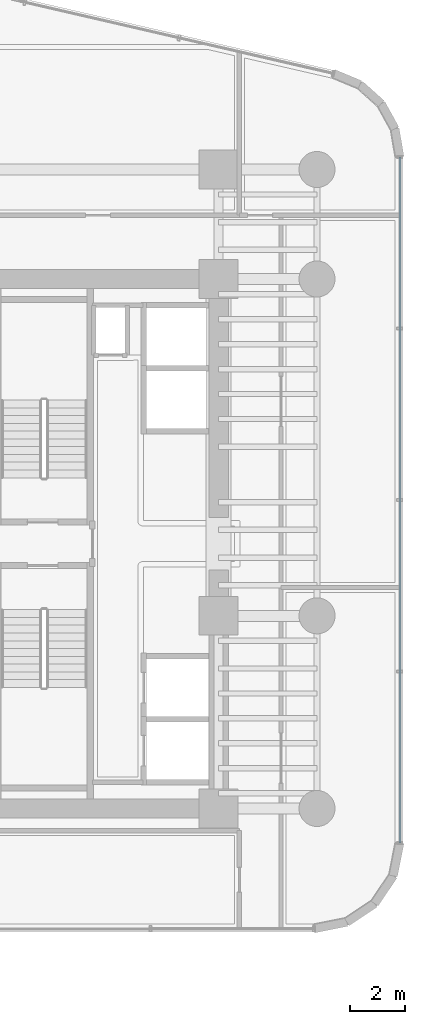
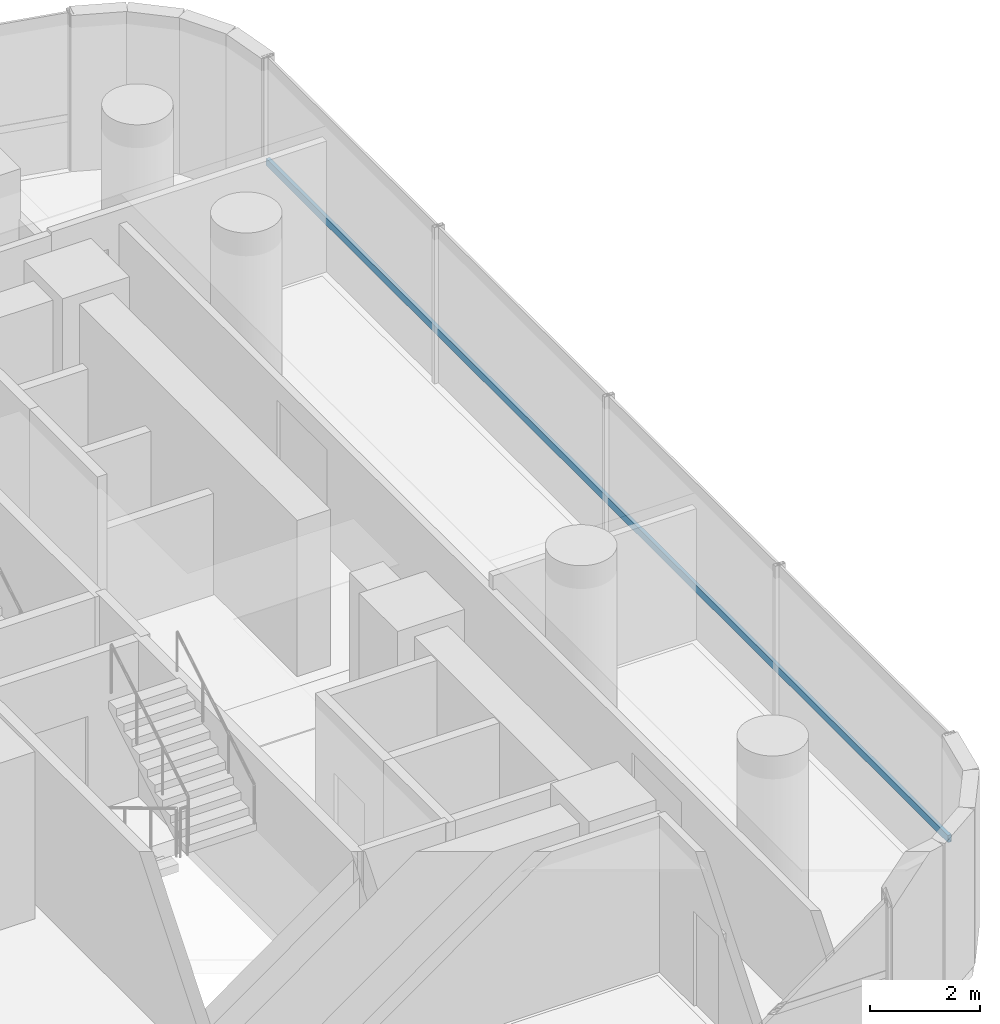
# One storey, part 27 of 40: 1 member, 1 element without a shape of its own.
"""IFC4 building model written with IfcOpenShell, lengths in metres."""

from ifc_helpers import new_model, si_unit, direction, frame, origin, origin_2d, place, context, subcontext, project, spatial, hollow_rectangle, extrude, source, transform, mapped, material, material_profile, profile_set, type_object, element, aggregate, save


model = new_model("IFC4")

# Units and contexts
model_context = context("Model", 3, precision=1e-05, world=origin(), true_north=direction((0.0, 1.0)))
body_context = subcontext(model_context, "Body", "Model", "MODEL_VIEW")
ifc_project = project(units=[si_unit("LENGTHUNIT", "METRE"), si_unit("AREAUNIT", "SQUARE_METRE"), si_unit("VOLUMEUNIT", "CUBIC_METRE"), si_unit("PLANEANGLEUNIT", "RADIAN"), si_unit("MASSUNIT", "GRAM", prefix="KILO")], contexts=[model_context])

# Site, building, storey
site_placement = place(None, origin())
site = spatial("IfcSite", under=ifc_project, at=site_placement, CompositionType="ELEMENT")
building_placement = place(site_placement, origin())
building = spatial("IfcBuilding", under=site, at=building_placement, Name="Valdorenza Pilgrim Sanctuary Tower", CompositionType="ELEMENT")
storey_placement = place(building_placement, frame((0.0, 0.0, 51.89990234375)))
storey = spatial("IfcBuildingStorey", under=building, at=storey_placement, Name="L12", CompositionType="ELEMENT", Elevation=51.89990234375)

# Curtain wall, member
ifc_material_1 = material(Name="Curtain-wall IGU glazing", Category="glass")
curtain_wall_type = type_object("IfcCurtainWallType", Name="CW-SYS-03", PredefinedType="NOTDEFINED", material=ifc_material_1)
curtain_wall_placement = place(storey_placement, origin())
curtain_wall = element("IfcCurtainWall", 1, at=curtain_wall_placement, inside=storey, type_object=curtain_wall_type, Name="L12 Curtain Wall CW-L12-1-21", PredefinedType="NOTDEFINED")
ifc_material_2 = material(Name="Anodised aluminium AW-6060", Category="aluminium")
ifc_material_profile = material_profile(ifc_material_2, hollow_rectangle(XDim=0.074951171875, YDim=0.159912109375, WallThickness=0.00390625, at=origin_2d()), Name="ALU-T 160x75x4")
ifc_profile_set = profile_set([ifc_material_profile], Name="Anodised aluminium AW-6060")
member_type = type_object("IfcMemberType", Name="CW-TRN-03", PredefinedType="USERDEFINED", material=ifc_profile_set)
shared_shape = source(origin(), body_context, "Body", "SweptSolid", [
    extrude(hollow_rectangle(XDim=0.074951171875, YDim=0.159912109375, WallThickness=0.00390625, at=origin_2d()), origin(), (0.0, 0.0, 1.0), 24.734375),
])
member_placement = place(storey_placement, frame((31.389892578125, 13.945068359375, 1.1201171875), z_axis=(0.0, -1.0, 0.0), x_axis=(1.0, 0.0, 0.0)))
member = element("IfcMember", 2, at=member_placement, type_object=member_type, Name="CW-L12-1-21 Transom 1", ObjectType="TRANSOM", PredefinedType="USERDEFINED", context=body_context, shape_type="MappedRepresentation", body=[
    mapped(shared_shape, transform((0.0, 0.0, 0.0), x_axis=(1.0, 0.0, 0.0), y_axis=(0.0, 1.0, 0.0), z_axis=(0.0, 0.0, 1.0), scale=1.0)),
])
aggregate(curtain_wall, [member])

save(model, "model.ifc")
